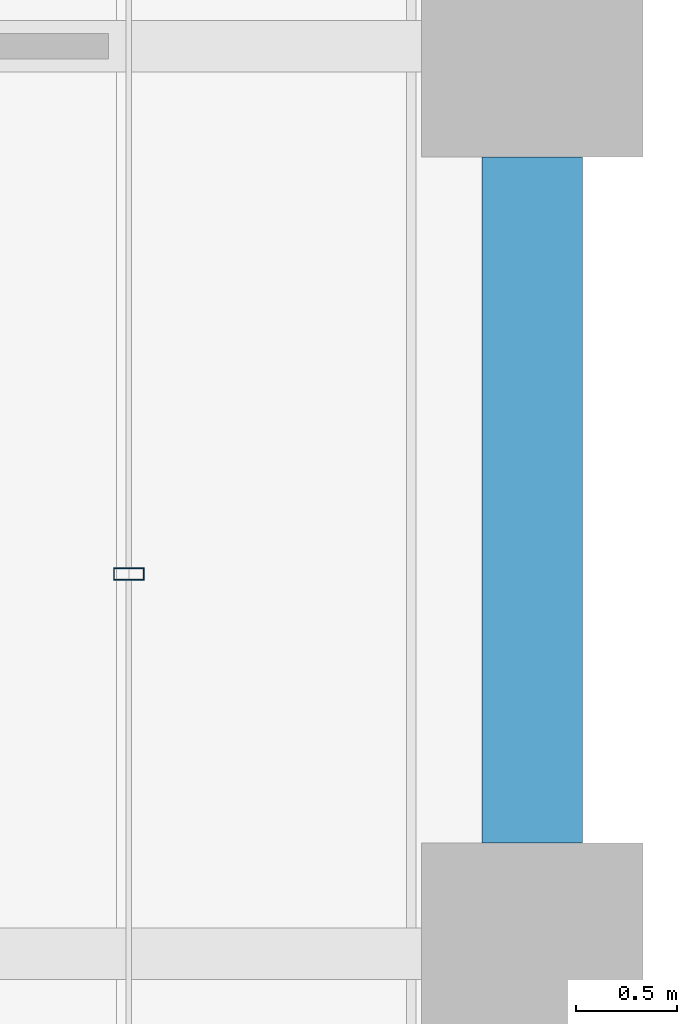
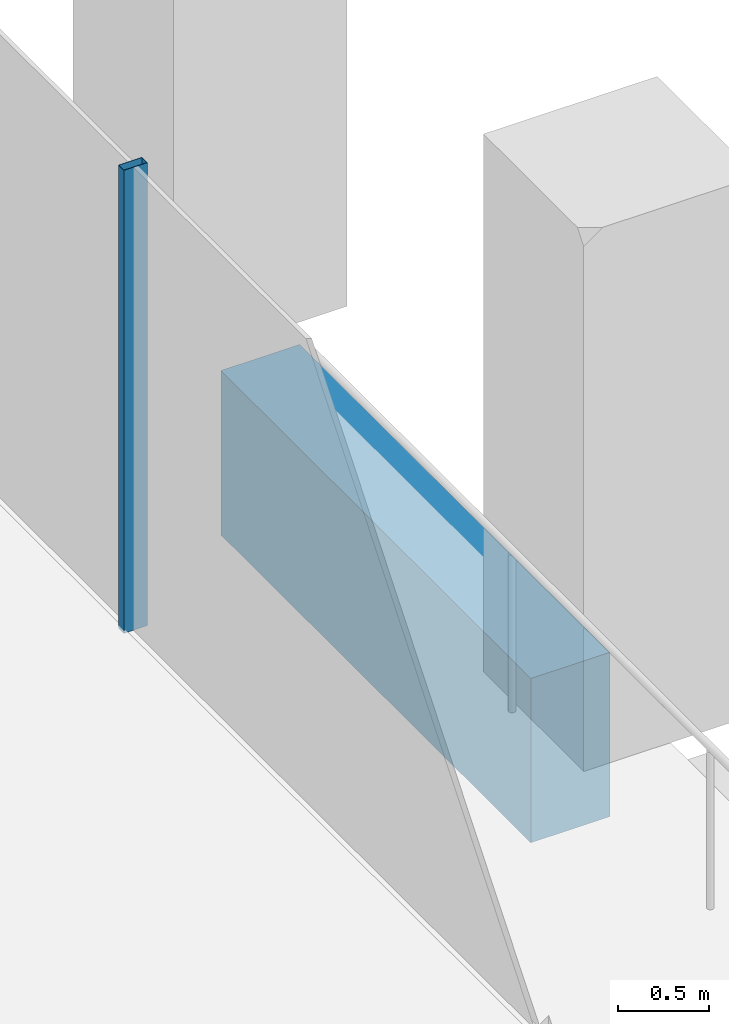
# One storey, part 20 of 56: 1 beam, 1 member, 1 element without a shape of its own.
"""IFC4 building model written with IfcOpenShell, lengths in metres."""

from ifc_helpers import new_model, si_unit, direction, frame, origin, origin_2d, place, context, subcontext, project, spatial, rectangle, hollow_rectangle, extrude, material, material_profile, profile_set, type_object, element, aggregate, save


model = new_model("IFC4")

# Units and contexts
model_context = context("Model", 3, precision=1e-05, world=origin(), true_north=direction((0.0, 1.0)))
body_context = subcontext(model_context, "Body", "Model", "MODEL_VIEW")
ifc_project = project(units=[si_unit("LENGTHUNIT", "METRE"), si_unit("AREAUNIT", "SQUARE_METRE"), si_unit("VOLUMEUNIT", "CUBIC_METRE"), si_unit("PLANEANGLEUNIT", "RADIAN"), si_unit("MASSUNIT", "GRAM", prefix="KILO")], contexts=[model_context])

# Site, building, storey
site_placement = place(None, origin())
site = spatial("IfcSite", under=ifc_project, at=site_placement, CompositionType="ELEMENT")
building_placement = place(site_placement, origin())
building = spatial("IfcBuilding", under=site, at=building_placement, Name="Altepetl Exchange Towers", CompositionType="ELEMENT")
storey_placement = place(building_placement, frame((0.0, 0.0, 54.60009765625)))
storey = spatial("IfcBuildingStorey", under=building, at=storey_placement, Name="L12", CompositionType="ELEMENT", Elevation=54.60009765625)

# Curtain wall, member
ifc_material_1 = material(Name="Aluminium 6063-T6 glazing", Category="aluminium")
curtain_wall_type = type_object("IfcCurtainWallType", Name="Loggia glazing system", PredefinedType="NOTDEFINED", material=ifc_material_1)
curtain_wall_placement = place(storey_placement, origin())
curtain_wall = element("IfcCurtainWall", 1, at=curtain_wall_placement, inside=storey, type_object=curtain_wall_type, Name="CW1 run", PredefinedType="NOTDEFINED")
ifc_material_2 = material(Name="Aluminium 6063-T6", Category="aluminium")
ifc_material_profile_1 = material_profile(ifc_material_2, hollow_rectangle(XDim=0.06005859375, YDim=0.14990234375, WallThickness=0.0029296875, at=origin_2d()), Name="Mullion 60x150 aluminium")
ifc_profile_set_1 = profile_set([ifc_material_profile_1], Name="Aluminium 6063-T6")
member_type = type_object("IfcMemberType", Name="Mullion 60x150 aluminium", PredefinedType="MULLION", material=ifc_profile_set_1)
member_placement = place(storey_placement, frame((70.0, 46.883056640625, 0.0), z_axis=(0.0, 0.0, 1.0), x_axis=(0.0, 1.0, 0.0)))
member = element("IfcMember", 2, at=member_placement, type_object=member_type, Name="MU1 mullion", PredefinedType="MULLION", context=body_context, shape_type="SweptSolid", body=[
    extrude(hollow_rectangle(XDim=0.06005859375, YDim=0.14990234375, WallThickness=0.0029296875, at=origin_2d()), origin(), (0.0, 0.0, 1.0), 3.099853515625),
])
aggregate(curtain_wall, [member])

# Beam
ifc_material_3 = material(Name="Concrete C50/60 precast with cantera amarilla facing", Category="concrete")
ifc_material_profile_2 = material_profile(ifc_material_3, rectangle(XDim=0.5, YDim=1.10009765625, at=origin_2d()), Name="500 x 1100")
ifc_profile_set_2 = profile_set([ifc_material_profile_2], Name="Concrete C50/60 precast with cantera amarilla facing")
beam_type = type_object("IfcBeamType", Name="Spandrel beam 500x1100 cantera amarilla", PredefinedType="SPANDREL", material=ifc_profile_set_2)
beam_placement = place(storey_placement, frame((72.0, 45.550048828125, -0.7001953125), z_axis=(0.0, 1.0, 0.0), x_axis=(-1.0, 0.0, 0.0)))
element("IfcBeam", 3, at=beam_placement, inside=storey, type_object=beam_type, Name="sp:A:L12:015", PredefinedType="SPANDREL", context=body_context, shape_type="SweptSolid", body=[
    extrude(rectangle(XDim=0.5, YDim=1.10009765625, at=origin_2d()), origin(), (0.0, 0.0, 1.0), 3.39990234375),
])

save(model, "model.ifc")
